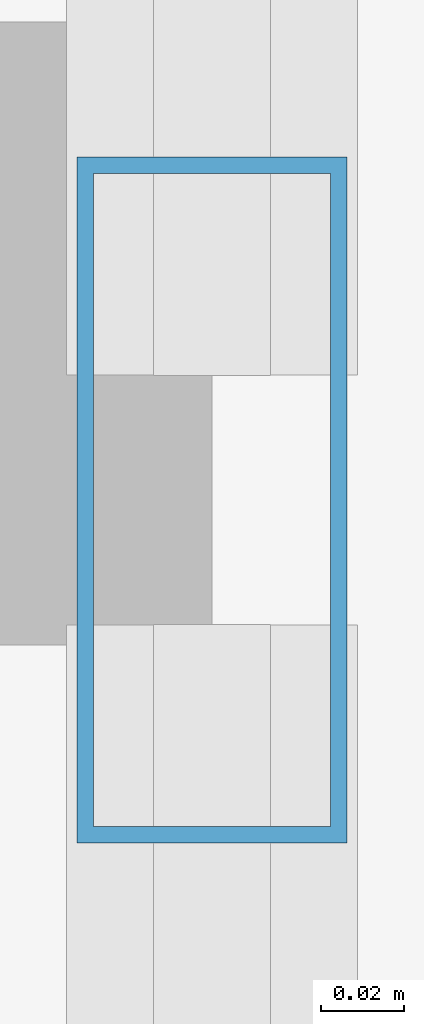
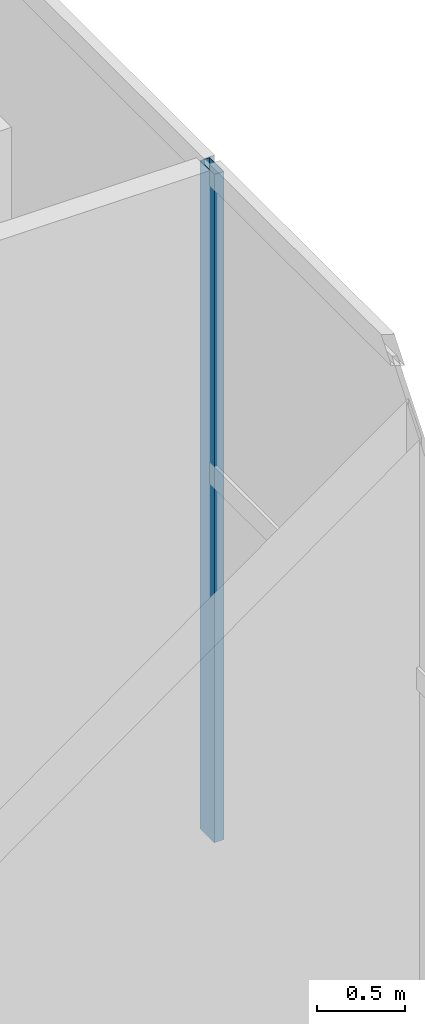
# One storey, part 14 of 28: 1 member, 1 element without a shape of its own.
"""IFC4 building model written with IfcOpenShell, lengths in metres."""

from ifc_helpers import new_model, si_unit, direction, frame, origin, origin_2d, place, context, subcontext, project, spatial, hollow_rectangle, extrude, material, layer, layer_set, material_profile, profile_set, type_object, element, aggregate, save


model = new_model("IFC4")

# Units and contexts
model_context = context("Model", 3, precision=1e-05, world=origin(), true_north=direction((0.0, 1.0)))
body_context = subcontext(model_context, "Body", "Model", "MODEL_VIEW")
ifc_project = project(units=[si_unit("LENGTHUNIT", "METRE"), si_unit("AREAUNIT", "SQUARE_METRE"), si_unit("VOLUMEUNIT", "CUBIC_METRE"), si_unit("PLANEANGLEUNIT", "RADIAN"), si_unit("MASSUNIT", "GRAM", prefix="KILO")], contexts=[model_context])

# Site, building, storey
site_placement = place(None, origin())
site = spatial("IfcSite", under=ifc_project, at=site_placement, CompositionType="ELEMENT")
building_placement = place(site_placement, origin())
building = spatial("IfcBuilding", under=site, at=building_placement, Name="Maruvema Waterfront Hotel and Observation Tower", CompositionType="ELEMENT")
storey_placement = place(building_placement, frame((0.0, 0.0, 234.5)))
storey = spatial("IfcBuildingStorey", under=building, at=storey_placement, Name="L57", CompositionType="ELEMENT", Elevation=234.5)

# Curtain wall, member
ifc_material_1 = material(Name="Anodised bronze aluminium and solar-control low-E IGU", Category="aluminium")
ifc_layer = layer(ifc_material_1, 0.159912109375, Name="Zone 3 Champagne Inner Thermal Curtain Wall System CW-04")
ifc_layer_set = layer_set([ifc_layer], Name="Anodised bronze aluminium and solar-control low-E IGU")
curtain_wall_type = type_object("IfcCurtainWallType", Name="Zone 3 Champagne Inner Thermal Curtain Wall System CW-04", PredefinedType="USERDEFINED", material=ifc_layer_set)
curtain_wall_placement = place(storey_placement, origin())
curtain_wall = element("IfcCurtainWall", 1, at=curtain_wall_placement, inside=storey, type_object=curtain_wall_type, Name="L57 Curtain Wall CW-L57-E", ObjectType="UNITISED CURTAIN WALL", PredefinedType="USERDEFINED")
ifc_material_2 = material(Name="Anodised architectural bronze aluminium", Category="aluminium")
ifc_material_profile = material_profile(ifc_material_2, hollow_rectangle(XDim=0.06494140625, YDim=0.1650390625, WallThickness=0.00390625, at=origin_2d()), Name="ALU-M65x165")
ifc_profile_set = profile_set([ifc_material_profile], Name="Anodised architectural bronze aluminium")
member_type = type_object("IfcMemberType", Name="Curtain Wall Primary Mullion ALU-M65x165", PredefinedType="MULLION", material=ifc_profile_set)
member_placement = place(storey_placement, frame((60.1201171875, 35.0400390625, 0.0), z_axis=(0.0, 0.0, 1.0), x_axis=(-1.0, 0.0, 0.0)))
member = element("IfcMember", 2, at=member_placement, type_object=member_type, Name="CW-04 mullion 4", PredefinedType="MULLION", context=body_context, shape_type="SweptSolid", body=[
    extrude(hollow_rectangle(XDim=0.06494140625, YDim=0.1650390625, WallThickness=0.00390625, at=origin_2d()), origin(), (0.0, 0.0, 1.0), 4.659912109375),
])
aggregate(curtain_wall, [member])

save(model, "model.ifc")
